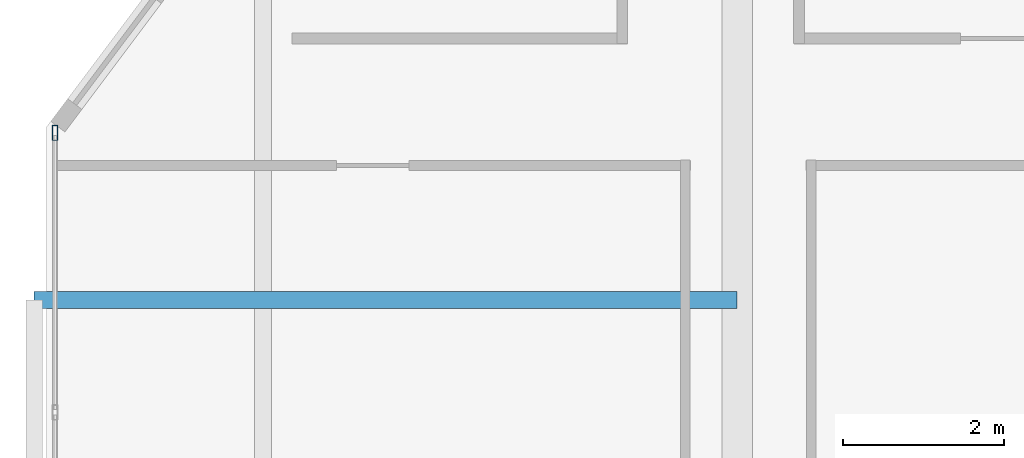
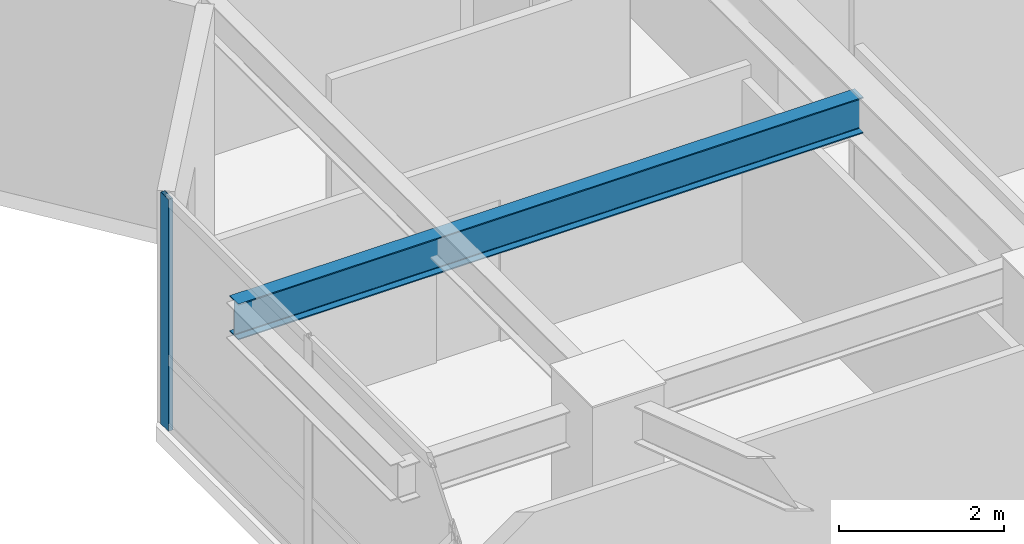
# One storey, part 6 of 17: 1 beam, 1 member, 1 element without a shape of its own.
"""IFC4 building model written with IfcOpenShell, lengths in metres."""

from ifc_helpers import new_model, si_unit, direction, frame, origin, origin_2d, place, context, subcontext, project, spatial, hollow_rectangle, i_section, extrude, material, material_profile, profile_set, type_object, element, aggregate, save


model = new_model("IFC4")

# Units and contexts
model_context = context("Model", 3, precision=1e-05, world=origin(), true_north=direction((0.0, 1.0)))
body_context = subcontext(model_context, "Body", "Model", "MODEL_VIEW")
ifc_project = project(units=[si_unit("LENGTHUNIT", "METRE"), si_unit("AREAUNIT", "SQUARE_METRE"), si_unit("VOLUMEUNIT", "CUBIC_METRE"), si_unit("PLANEANGLEUNIT", "RADIAN"), si_unit("MASSUNIT", "GRAM", prefix="KILO")], contexts=[model_context])

# Site, building, storey
site_placement = place(None, origin())
site = spatial("IfcSite", under=ifc_project, at=site_placement, CompositionType="ELEMENT")
building_placement = place(site_placement, origin())
building = spatial("IfcBuilding", under=site, at=building_placement, Name="Khamvora Tower", CompositionType="ELEMENT")
storey_placement = place(building_placement, frame((0.0, 0.0, 131.10009765625)))
storey = spatial("IfcBuildingStorey", under=building, at=storey_placement, Name="L33", CompositionType="ELEMENT", Elevation=131.10009765625)

# Beam
ifc_material_1 = material(Name="Steel S355", Category="steel")
ifc_material_profile_1 = material_profile(ifc_material_1, i_section(OverallWidth=0.208984375, OverallDepth=0.532958984375, WebThickness=0.010009765625, FlangeThickness=0.01611328125, FilletRadius=0.013916015625, at=origin_2d()), Name="W530x92")
ifc_profile_set_1 = profile_set([ifc_material_profile_1], Name="Steel S355")
beam_type = type_object("IfcBeamType", Name="BM-SP-W530x92", PredefinedType="SPANDREL", material=ifc_profile_set_1)
beam_placement = place(storey_placement, frame((18.0, 22.64990234375, 2.9638671875), z_axis=(-1.0, 0.0, 0.0), x_axis=(0.0, -1.0, 0.0)))
element("IfcBeam", 1, at=beam_placement, inside=storey, type_object=beam_type, Name="L33 continuous gallery cantilever girder L34-WL1-2", PredefinedType="SPANDREL", context=body_context, shape_type="SweptSolid", body=[
    extrude(i_section(OverallWidth=0.208984375, OverallDepth=0.532958984375, WebThickness=0.010009765625, FlangeThickness=0.01611328125, FilletRadius=0.013916015625, at=origin_2d()), origin(), (0.0, 0.0, 1.0), 8.75),
])

# Curtain wall, member
ifc_material_2 = material(Name="Anodised Aluminium 6063-T6", Category="aluminium")
curtain_wall_type = type_object("IfcCurtainWallType", Name="CW-SYS-03", PredefinedType="NOTDEFINED", material=ifc_material_2)
curtain_wall_placement = place(storey_placement, origin())
curtain_wall = element("IfcCurtainWall", 2, at=curtain_wall_placement, inside=storey, type_object=curtain_wall_type, Name="L33 stick curtain wall 02.1", PredefinedType="NOTDEFINED")
ifc_material_profile_2 = material_profile(ifc_material_2, hollow_rectangle(XDim=0.06494140625, YDim=0.18994140625, WallThickness=0.0048828125, at=origin_2d()), Name="MUL65x190x5")
ifc_profile_set_2 = profile_set([ifc_material_profile_2], Name="Anodised Aluminium 6063-T6")
member_type = type_object("IfcMemberType", Name="CW-SYS-03-MUL", PredefinedType="MULLION", material=ifc_profile_set_2)
member_placement = place(storey_placement, frame((9.510009765625, 24.73046875, 0.0), z_axis=(0.0, 0.0, 1.0), x_axis=(-1.0, 0.0, 0.0)))
member = element("IfcMember", 3, at=member_placement, type_object=member_type, Name="CW-03 mullion 5", PredefinedType="MULLION", context=body_context, shape_type="SweptSolid", body=[
    extrude(hollow_rectangle(XDim=0.06494140625, YDim=0.18994140625, WallThickness=0.0048828125, at=origin_2d()), origin(), (0.0, 0.0, 1.0), 3.429931640625),
])
aggregate(curtain_wall, [member])

save(model, "model.ifc")
